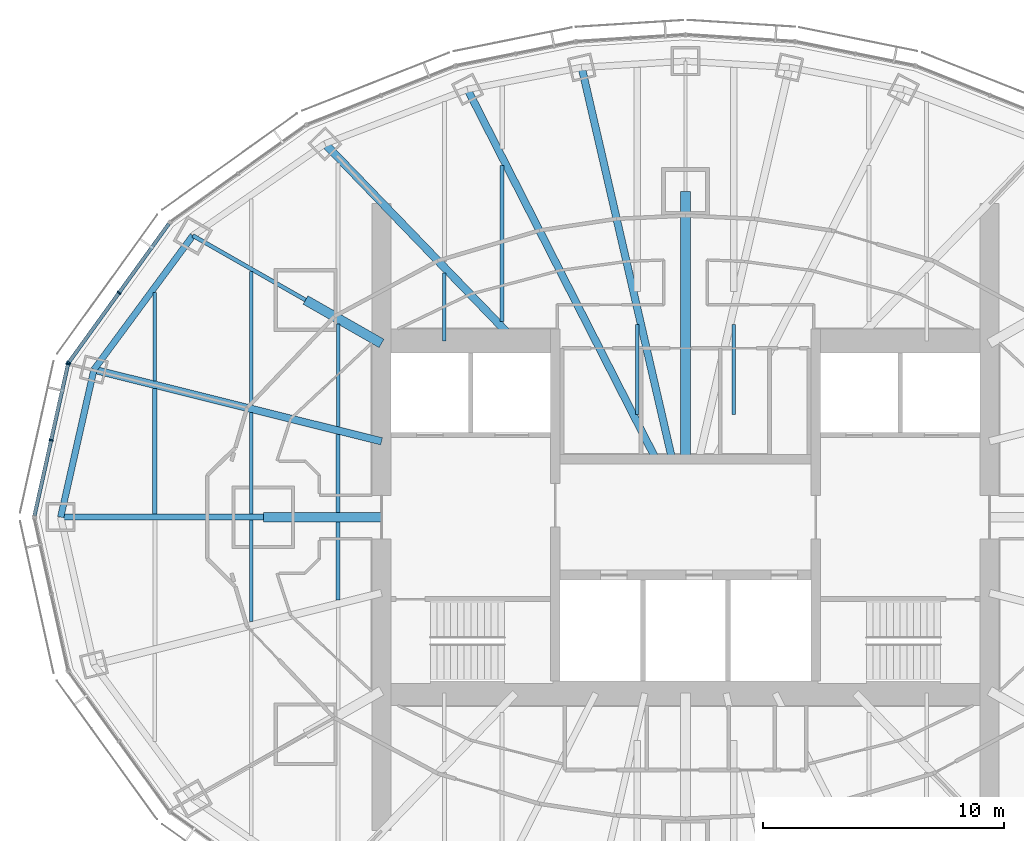
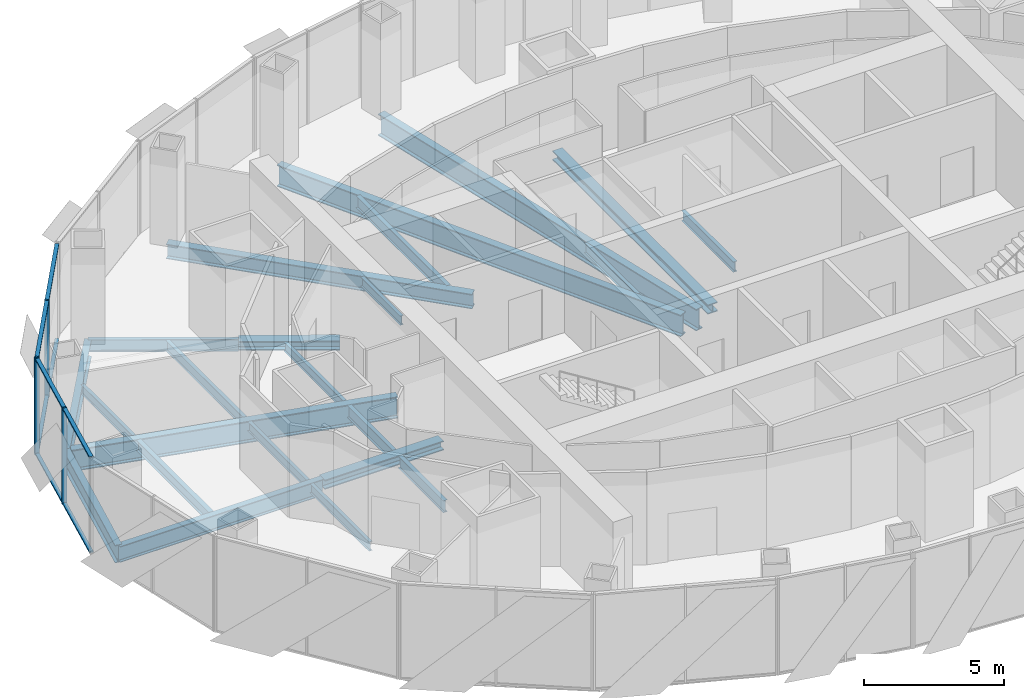
# One storey, part 4 of 17: 23 beams, 12 members, 2 elements without a shape of their own.
"""IFC4 building model written with IfcOpenShell, lengths in metres."""

from ifc_helpers import new_model, si_unit, direction, frame, origin, origin_2d, place, context, subcontext, project, spatial, rectangle, i_section, extrude, material, material_profile, profile_set, type_object, element, aggregate, save


model = new_model("IFC4")

# Units and contexts
model_context = context("Model", 3, precision=1e-05, world=origin(), true_north=direction((0.0, 1.0)))
body_context = subcontext(model_context, "Body", "Model", "MODEL_VIEW")
ifc_project = project(units=[si_unit("LENGTHUNIT", "METRE"), si_unit("AREAUNIT", "SQUARE_METRE"), si_unit("VOLUMEUNIT", "CUBIC_METRE"), si_unit("PLANEANGLEUNIT", "RADIAN"), si_unit("MASSUNIT", "GRAM", prefix="KILO")], contexts=[model_context])

# Site, building, storey
site_placement = place(None, origin())
site = spatial("IfcSite", under=ifc_project, at=site_placement, CompositionType="ELEMENT")
building_placement = place(site_placement, origin())
building = spatial("IfcBuilding", under=site, at=building_placement, Name="Lantaw Convention Tower", CompositionType="ELEMENT")
storey_placement = place(building_placement, frame((0.0, 0.0, 207.39990234375)))
storey = spatial("IfcBuildingStorey", under=building, at=storey_placement, Name="L48", CompositionType="ELEMENT", Elevation=207.39990234375)

# Beams
ifc_material_1 = material(Name="Steel ASTM A992", Category="steel")
ifc_material_profile_1 = material_profile(ifc_material_1, i_section(OverallWidth=0.2666015625, OverallDepth=0.76953125, WebThickness=0.015625, FlangeThickness=0.025390625, FilletRadius=0.0126953125, at=origin_2d()), Name="W30X132")
ifc_profile_set_1 = profile_set([ifc_material_profile_1], Name="Steel ASTM A992")
beam_type_1 = type_object("IfcBeamType", Name="Beam E W30X132", PredefinedType="SPANDREL", material=ifc_profile_set_1)
beam_1_placement = place(storey_placement, frame((-20.423095703125, 11.67041015625, -0.53466796875), z_axis=(-0.593639188853, -0.804731329984, 0.0), x_axis=(0.804731329984, -0.593639188853, 0.0)))
element("IfcBeam", 1, at=beam_1_placement, inside=storey, type_object=beam_type_1, Name="Edge beam 11", PredefinedType="SPANDREL", context=body_context, shape_type="SweptSolid", body=[
    extrude(i_section(OverallWidth=0.2666015625, OverallDepth=0.76953125, WebThickness=0.015625, FlangeThickness=0.025390625, FilletRadius=0.0126953125, at=origin_2d()), origin(), (0.0, 0.0, 1.0), 6.904541015625),
])
beam_2_placement = place(storey_placement, frame((-24.52197265625, 6.114013671875, -0.53466796875), z_axis=(-0.219857926596, -0.97553190215, 0.0), x_axis=(0.97553190215, -0.219857926596, 0.0)))
element("IfcBeam", 2, at=beam_2_placement, inside=storey, type_object=beam_type_1, Name="Edge beam 12", PredefinedType="SPANDREL", context=body_context, shape_type="SweptSolid", body=[
    extrude(i_section(OverallWidth=0.2666015625, OverallDepth=0.76953125, WebThickness=0.015625, FlangeThickness=0.025390625, FilletRadius=0.0126953125, at=origin_2d()), origin(), (0.0, 0.0, 1.0), 6.267333984375),
])
ifc_material_profile_2 = material_profile(ifc_material_1, i_section(OverallWidth=0.1650390625, OverallDepth=0.52587890625, WebThickness=0.0087890625, FlangeThickness=0.011474609375, FilletRadius=0.0126953125, at=origin_2d()), Name="W21X44")
ifc_profile_set_2 = profile_set([ifc_material_profile_2], Name="Steel ASTM A992")
beam_type_2 = type_object("IfcBeamType", Name="Beam G W21X44", PredefinedType="BEAM", material=ifc_profile_set_2)
beam_3_placement = place(storey_placement, frame((-15.75, 9.0, -0.412841796875), z_axis=(-0.868237559289, 0.496148708192, 0.0), x_axis=(-0.496148708192, -0.868237559289, 0.0)))
element("IfcBeam", 3, at=beam_3_placement, inside=storey, type_object=beam_type_2, Name="Floor girder on ray 11", PredefinedType="BEAM", context=body_context, shape_type="SweptSolid", body=[
    extrude(i_section(OverallWidth=0.1650390625, OverallDepth=0.52587890625, WebThickness=0.0087890625, FlangeThickness=0.011474609375, FilletRadius=0.0126953125, at=origin_2d()), origin(), (0.0, 0.0, 1.0), 5.38232421875),
])
ifc_material_profile_3 = material_profile(ifc_material_1, i_section(OverallWidth=0.32763671875, OverallDepth=0.64013671875, WebThickness=0.01904296875, FlangeThickness=0.033935546875, FilletRadius=0.0126953125, at=origin_2d()), Name="W24X176")
ifc_profile_set_3 = profile_set([ifc_material_profile_3], Name="Steel ASTM A992")
beam_type_3 = type_object("IfcBeamType", Name="Beam G W24X176", PredefinedType="BEAM", material=ifc_profile_set_3)
beam_4_placement = place(storey_placement, frame((-7.049560546875, 7.300048828125, -0.469970703125), z_axis=(-0.694657766726, 0.719340383356, 0.0), x_axis=(-0.719340383356, -0.694657766726, 0.0)))
element("IfcBeam", 4, at=beam_4_placement, inside=storey, type_object=beam_type_3, Name="Floor girder on ray 10", PredefinedType="BEAM", context=body_context, shape_type="SweptSolid", body=[
    extrude(i_section(OverallWidth=0.32763671875, OverallDepth=0.64013671875, WebThickness=0.01904296875, FlangeThickness=0.033935546875, FilletRadius=0.0126953125, at=origin_2d()), origin(), (0.0, 0.0, 1.0), 11.364990234375),
])
ifc_material_profile_4 = material_profile(ifc_material_1, i_section(OverallWidth=0.25390625, OverallDepth=0.700927734375, WebThickness=0.015380859375, FlangeThickness=0.02783203125, FilletRadius=0.01513671875, at=origin_2d()), Name="W27X129")
ifc_profile_set_4 = profile_set([ifc_material_profile_4], Name="Steel ASTM A992")
beam_type_4 = type_object("IfcBeamType", Name="Beam G W27X129", PredefinedType="BEAM", material=ifc_profile_set_4)
beam_5_placement = place(storey_placement, frame((-17.5, 0.0, -0.50048828125), z_axis=(-1.0, 0.0, 0.0), x_axis=(0.0, -1.0, 0.0)))
element("IfcBeam", 5, at=beam_5_placement, inside=storey, type_object=beam_type_4, Name="Floor girder on ray 13", PredefinedType="BEAM", context=body_context, shape_type="SweptSolid", body=[
    extrude(i_section(OverallWidth=0.25390625, OverallDepth=0.700927734375, WebThickness=0.015380859375, FlangeThickness=0.02783203125, FilletRadius=0.01513671875, at=origin_2d()), origin(), (0.0, 0.0, 1.0), 8.39990234375),
])
ifc_material_profile_5 = material_profile(ifc_material_1, i_section(OverallWidth=0.307373046875, OverallDepth=0.9423828125, WebThickness=0.022216796875, FlangeThickness=0.039794921875, FilletRadius=0.0126953125, at=origin_2d()), Name="W36X232")
ifc_profile_set_5 = profile_set([ifc_material_profile_5], Name="Steel ASTM A992")
beam_type_5 = type_object("IfcBeamType", Name="Beam G W36X232", PredefinedType="BEAM", material=ifc_profile_set_5)
beam_6_placement = place(storey_placement, frame((-0.55419921875, 2.39990234375, -0.62109375), z_axis=(-0.224948287002, 0.974370703672, 0.0), x_axis=(-0.974370703672, -0.224948287002, 0.0)))
element("IfcBeam", 6, at=beam_6_placement, inside=storey, type_object=beam_type_5, Name="Floor girder on ray 8", PredefinedType="BEAM", context=body_context, shape_type="SweptSolid", body=[
    extrude(i_section(OverallWidth=0.307373046875, OverallDepth=0.9423828125, WebThickness=0.022216796875, FlangeThickness=0.039794921875, FilletRadius=0.0126953125, at=origin_2d()), origin(), (0.0, 0.0, 1.0), 16.66943359375),
])
beam_7_placement = place(storey_placement, frame((-1.222900390625, 2.39990234375, -0.62109375), z_axis=(-0.453988481463, 0.891007552549, 0.0), x_axis=(-0.891007552549, -0.453988481463, 0.0)))
element("IfcBeam", 7, at=beam_7_placement, inside=storey, type_object=beam_type_5, Name="Floor girder on ray 9", PredefinedType="BEAM", context=body_context, shape_type="SweptSolid", body=[
    extrude(i_section(OverallWidth=0.307373046875, OverallDepth=0.9423828125, WebThickness=0.022216796875, FlangeThickness=0.039794921875, FilletRadius=0.0126953125, at=origin_2d()), origin(), (0.0, 0.0, 1.0), 17.20703125),
])
beam_8_placement = place(storey_placement, frame((-12.60009765625, 3.1416015625, -0.62109375), z_axis=(-0.970296589314, 0.241918434119, 0.0), x_axis=(-0.241918434119, -0.970296589314, 0.0)))
element("IfcBeam", 8, at=beam_8_placement, inside=storey, type_object=beam_type_5, Name="Floor girder on ray 12", PredefinedType="BEAM", context=body_context, shape_type="SweptSolid", body=[
    extrude(i_section(OverallWidth=0.307373046875, OverallDepth=0.9423828125, WebThickness=0.022216796875, FlangeThickness=0.039794921875, FilletRadius=0.0126953125, at=origin_2d()), origin(), (0.0, 0.0, 1.0), 12.286865234375),
])
ifc_material_profile_6 = material_profile(ifc_material_1, i_section(OverallWidth=0.40380859375, OverallDepth=0.406494140625, WebThickness=0.027099609375, FlangeThickness=0.043701171875, FilletRadius=0.01513671875, at=origin_2d()), Name="W14X233")
ifc_profile_set_6 = profile_set([ifc_material_profile_6], Name="Steel ASTM A992")
beam_type_6 = type_object("IfcBeamType", Name="Beam GM W14X233", PredefinedType="BEAM", material=ifc_profile_set_6)
beam_9_placement = place(storey_placement, frame((0.0, 2.39990234375, -0.35302734375), z_axis=(0.0, 1.0, 0.0), x_axis=(-1.0, 0.0, 0.0)))
element("IfcBeam", 9, at=beam_9_placement, inside=storey, type_object=beam_type_6, Name="Core link beam on ray 7", PredefinedType="BEAM", context=body_context, shape_type="SweptSolid", body=[
    extrude(i_section(OverallWidth=0.40380859375, OverallDepth=0.406494140625, WebThickness=0.027099609375, FlangeThickness=0.043701171875, FilletRadius=0.01513671875, at=origin_2d()), origin(), (0.0, 0.0, 1.0), 11.10009765625),
])
beam_10_placement = place(storey_placement, frame((-12.60009765625, 7.199951171875, -0.35302734375), z_axis=(-0.868230718294, 0.496160679428, 0.0), x_axis=(-0.496160679428, -0.868230718294, 0.0)))
element("IfcBeam", 10, at=beam_10_placement, inside=storey, type_object=beam_type_6, Name="Core link beam on ray 11", PredefinedType="BEAM", context=body_context, shape_type="SweptSolid", body=[
    extrude(i_section(OverallWidth=0.40380859375, OverallDepth=0.406494140625, WebThickness=0.027099609375, FlangeThickness=0.043701171875, FilletRadius=0.01513671875, at=origin_2d()), origin(), (0.0, 0.0, 1.0), 3.6279296875),
])
beam_11_placement = place(storey_placement, frame((-12.60009765625, 0.0, -0.35302734375), z_axis=(-1.0, 0.0, 0.0), x_axis=(0.0, -1.0, 0.0)))
element("IfcBeam", 11, at=beam_11_placement, inside=storey, type_object=beam_type_6, Name="Core link beam on ray 13", PredefinedType="BEAM", context=body_context, shape_type="SweptSolid", body=[
    extrude(i_section(OverallWidth=0.40380859375, OverallDepth=0.406494140625, WebThickness=0.027099609375, FlangeThickness=0.043701171875, FilletRadius=0.01513671875, at=origin_2d()), origin(), (0.0, 0.0, 1.0), 4.89990234375),
])
ifc_material_profile_7 = material_profile(ifc_material_1, i_section(OverallWidth=0.140380859375, OverallDepth=0.40380859375, WebThickness=0.007080078125, FlangeThickness=0.01123046875, FilletRadius=0.01025390625, at=origin_2d()), Name="W16X31")
ifc_profile_set_7 = profile_set([ifc_material_profile_7], Name="Steel ASTM A992")
beam_type_7 = type_object("IfcBeamType", Name="Beam J W16X31", PredefinedType="JOIST", material=ifc_profile_set_7)
beam_12_placement = place(storey_placement, frame((-22.0, 5.6435546875, -0.351806640625), z_axis=(0.0, 1.0, 0.0), x_axis=(-1.0, 0.0, 0.0)))
element("IfcBeam", 12, at=beam_12_placement, inside=storey, type_object=beam_type_7, Name="Floor joist", PredefinedType="JOIST", context=body_context, shape_type="SweptSolid", body=[
    extrude(i_section(OverallWidth=0.140380859375, OverallDepth=0.40380859375, WebThickness=0.007080078125, FlangeThickness=0.01123046875, FilletRadius=0.01025390625, at=origin_2d()), origin(), (0.0, 0.0, 1.0), 3.66455078125),
])
for number, where, z_axis, x_axis, name in (
    (13, (-18.0, -4.32958984375, -0.351806640625), (0.0, 1.0, 0.0), (-1.0, 0.0, 0.0), "Floor joist"),
    (14, (-18.0, 0.126953125, -0.351806640625), (0.0, 1.0, 0.0), (-1.0, 0.0, 0.0), "Floor joist"),
):
    element("IfcBeam", number, at=place(storey_placement, frame(where, z_axis=z_axis, x_axis=x_axis)), inside=storey, type_object=beam_type_7, Name=name, PredefinedType="JOIST", context=body_context, shape_type="SweptSolid", body=[
        extrude(i_section(OverallWidth=0.140380859375, OverallDepth=0.40380859375, WebThickness=0.007080078125, FlangeThickness=0.01123046875, FilletRadius=0.01025390625, at=origin_2d()), origin(), (0.0, 0.0, 1.0), 4.20263671875),
    ])
beam_13_placement = place(storey_placement, frame((-14.39990234375, 3.748779296875, -0.351806640625), z_axis=(0.0, 1.0, 0.0), x_axis=(-1.0, 0.0, 0.0)))
element("IfcBeam", 15, at=beam_13_placement, inside=storey, type_object=beam_type_7, Name="Floor joist", PredefinedType="JOIST", context=body_context, shape_type="SweptSolid", body=[
    extrude(i_section(OverallWidth=0.140380859375, OverallDepth=0.40380859375, WebThickness=0.007080078125, FlangeThickness=0.01123046875, FilletRadius=0.01025390625, at=origin_2d()), origin(), (0.0, 0.0, 1.0), 4.247314453125),
])
beam_14_placement = place(storey_placement, frame((-10.0, 7.300048828125, -0.351806640625), z_axis=(0.0, 1.0, 0.0), x_axis=(-1.0, 0.0, 0.0)))
element("IfcBeam", 16, at=beam_14_placement, inside=storey, type_object=beam_type_7, Name="Floor joist", PredefinedType="JOIST", context=body_context, shape_type="SweptSolid", body=[
    extrude(i_section(OverallWidth=0.140380859375, OverallDepth=0.40380859375, WebThickness=0.007080078125, FlangeThickness=0.01123046875, FilletRadius=0.01025390625, at=origin_2d()), origin(), (0.0, 0.0, 1.0), 2.8193359375),
])
ifc_material_profile_8 = material_profile(ifc_material_1, i_section(OverallWidth=0.15234375, OverallDepth=0.449462890625, WebThickness=0.007568359375, FlangeThickness=0.0107421875, FilletRadius=0.01025390625, at=origin_2d()), Name="W18X35")
ifc_profile_set_8 = profile_set([ifc_material_profile_8], Name="Steel ASTM A992")
beam_type_8 = type_object("IfcBeamType", Name="Beam J W18X35", PredefinedType="JOIST", material=ifc_profile_set_8)
beam_15_placement = place(storey_placement, frame((-18.0, 4.646240234375, -0.374755859375), z_axis=(0.0, 1.0, 0.0), x_axis=(-1.0, 0.0, 0.0)))
element("IfcBeam", 17, at=beam_15_placement, inside=storey, type_object=beam_type_8, Name="Floor joist", PredefinedType="JOIST", context=body_context, shape_type="SweptSolid", body=[
    extrude(i_section(OverallWidth=0.15234375, OverallDepth=0.449462890625, WebThickness=0.007568359375, FlangeThickness=0.0107421875, FilletRadius=0.01025390625, at=origin_2d()), origin(), (0.0, 0.0, 1.0), 5.54443359375),
])
for number, where, z_axis, x_axis, name in (
    (18, (-2.0, 4.263671875, -0.374755859375), (0.0, 1.0, 0.0), (-1.0, 0.0, 0.0), "Floor joist"),
    (19, (2.0, 4.263671875, -0.374755859375), (0.0, 1.0, 0.0), (-1.0, 0.0, 0.0), "Floor joist"),
):
    element("IfcBeam", number, at=place(storey_placement, frame(where, z_axis=z_axis, x_axis=x_axis)), inside=storey, type_object=beam_type_8, Name=name, PredefinedType="JOIST", context=body_context, shape_type="SweptSolid", body=[
        extrude(i_section(OverallWidth=0.15234375, OverallDepth=0.449462890625, WebThickness=0.007568359375, FlangeThickness=0.0107421875, FilletRadius=0.01025390625, at=origin_2d()), origin(), (0.0, 0.0, 1.0), 3.716064453125),
    ])
ifc_material_profile_9 = material_profile(ifc_material_1, i_section(OverallWidth=0.1904296875, OverallDepth=0.457275390625, WebThickness=0.009033203125, FlangeThickness=0.014404296875, FilletRadius=0.01025390625, at=origin_2d()), Name="W18X50")
ifc_profile_set_9 = profile_set([ifc_material_profile_9], Name="Steel ASTM A992")
beam_type_9 = type_object("IfcBeamType", Name="Beam J W18X50", PredefinedType="JOIST", material=ifc_profile_set_9)
beam_16_placement = place(storey_placement, frame((-22.0, 0.126953125, -0.37841796875), z_axis=(0.0, 1.0, 0.0), x_axis=(-1.0, 0.0, 0.0)))
element("IfcBeam", 20, at=beam_16_placement, inside=storey, type_object=beam_type_9, Name="Floor joist", PredefinedType="JOIST", context=body_context, shape_type="SweptSolid", body=[
    extrude(i_section(OverallWidth=0.1904296875, OverallDepth=0.457275390625, WebThickness=0.009033203125, FlangeThickness=0.014404296875, FilletRadius=0.01025390625, at=origin_2d()), origin(), (0.0, 0.0, 1.0), 5.199951171875),
])
ifc_material_profile_10 = material_profile(ifc_material_1, i_section(OverallWidth=0.1650390625, OverallDepth=0.52587890625, WebThickness=0.0087890625, FlangeThickness=0.011474609375, FilletRadius=0.0126953125, at=origin_2d()), Name="W21X44")
ifc_profile_set_10 = profile_set([ifc_material_profile_10], Name="Steel ASTM A992")
beam_type_10 = type_object("IfcBeamType", Name="Beam J W21X44", PredefinedType="JOIST", material=ifc_profile_set_10)
for number, where, z_axis, x_axis, name in (
    (21, (-14.39990234375, -3.431884765625, -0.412841796875), (0.0, 1.0, 0.0), (-1.0, 0.0, 0.0), "Floor joist"),
    (22, (-14.39990234375, 0.201904296875, -0.412841796875), (0.0, 1.0, 0.0), (-1.0, 0.0, 0.0), "Floor joist"),
):
    element("IfcBeam", number, at=place(storey_placement, frame(where, z_axis=z_axis, x_axis=x_axis)), inside=storey, type_object=beam_type_10, Name=name, PredefinedType="JOIST", context=body_context, shape_type="SweptSolid", body=[
        extrude(i_section(OverallWidth=0.1650390625, OverallDepth=0.52587890625, WebThickness=0.0087890625, FlangeThickness=0.011474609375, FilletRadius=0.0126953125, at=origin_2d()), origin(), (0.0, 0.0, 1.0), 3.22998046875),
    ])
beam_17_placement = place(storey_placement, frame((-7.60009765625, 8.10595703125, -0.412841796875), z_axis=(0.0, 1.0, 0.0), x_axis=(-1.0, 0.0, 0.0)))
element("IfcBeam", 23, at=beam_17_placement, inside=storey, type_object=beam_type_10, Name="Floor joist", PredefinedType="JOIST", context=body_context, shape_type="SweptSolid", body=[
    extrude(i_section(OverallWidth=0.1650390625, OverallDepth=0.52587890625, WebThickness=0.0087890625, FlangeThickness=0.011474609375, FilletRadius=0.0126953125, at=origin_2d()), origin(), (0.0, 0.0, 1.0), 6.471435546875),
])

# Curtain wall, members
ifc_material_2 = material(Name="Aluminium framed curtain wall", Category="aluminium")
curtain_wall_type = type_object("IfcCurtainWallType", Name="Office curtain wall high rise, pale aluminium", PredefinedType="USERDEFINED", material=ifc_material_2)
curtain_wall_1_placement = place(storey_placement, origin())
curtain_wall_1 = element("IfcCurtainWall", 24, at=curtain_wall_1_placement, inside=storey, type_object=curtain_wall_type, Name="Office curtain wall high rise, pale aluminium L48", ObjectType="UNITISED CURTAIN WALL", PredefinedType="USERDEFINED")
ifc_material_3 = material(Name="Aluminium 6063-T6", Category="aluminium")
ifc_material_profile_11 = material_profile(ifc_material_3, rectangle(XDim=0.179931640625, YDim=0.06494140625, at=origin_2d()), Name="CW-O2 mullion 65x180")
ifc_profile_set_11 = profile_set([ifc_material_profile_11], Name="Aluminium 6063-T6")
member_type_1 = type_object("IfcMemberType", Name="CW-O2 mullion 65x180", PredefinedType="MULLION", material=ifc_profile_set_11)
member_1_placement = place(storey_placement, frame((-23.483642578125, 9.298095703125, -0.14990234375), z_axis=(0.0, 0.0, 1.0), x_axis=(0.810919559405, -0.585157643865, 0.0)))
member_1 = element("IfcMember", 25, at=member_1_placement, type_object=member_type_1, Name="CW-O2 mullion 2", PredefinedType="MULLION", context=body_context, shape_type="SweptSolid", body=[
    extrude(rectangle(XDim=0.179931640625, YDim=0.06494140625, at=origin_2d()), origin(), (0.0, 0.0, 1.0), 4.199951171875),
])
member_2_placement = place(storey_placement, frame((-25.5703125, 6.406494140625, -0.14990234375), z_axis=(0.0, 0.0, 1.0), x_axis=(0.810919559405, -0.585157643865, 0.0)))
member_2 = element("IfcMember", 26, at=member_2_placement, type_object=member_type_1, Name="CW-O2 mullion 3", PredefinedType="MULLION", context=body_context, shape_type="SweptSolid", body=[
    extrude(rectangle(XDim=0.179931640625, YDim=0.06494140625, at=origin_2d()), origin(), (0.0, 0.0, 1.0), 4.199951171875),
])

curtain_wall_2_placement = place(storey_placement, origin())
curtain_wall_2 = element("IfcCurtainWall", 27, at=curtain_wall_2_placement, inside=storey, type_object=curtain_wall_type, Name="Office curtain wall high rise, pale aluminium L48", ObjectType="UNITISED CURTAIN WALL", PredefinedType="USERDEFINED")
member_3_placement = place(storey_placement, frame((-25.596435546875, 6.348388671875, -0.14990234375), z_axis=(0.0, 0.0, 1.0), x_axis=(0.976417396437, -0.215891333626, 0.0)))
member_3 = element("IfcMember", 28, at=member_3_placement, type_object=member_type_1, Name="CW-O2 mullion 1", PredefinedType="MULLION", context=body_context, shape_type="SweptSolid", body=[
    extrude(rectangle(XDim=0.179931640625, YDim=0.06494140625, at=origin_2d()), origin(), (0.0, 0.0, 1.0), 4.199951171875),
])
member_4_placement = place(storey_placement, frame((-26.294677734375, 3.190185546875, -0.14990234375), z_axis=(0.0, 0.0, 1.0), x_axis=(0.976417396437, -0.215891333626, 0.0)))
member_4 = element("IfcMember", 29, at=member_4_placement, type_object=member_type_1, Name="CW-O2 mullion 2", PredefinedType="MULLION", context=body_context, shape_type="SweptSolid", body=[
    extrude(rectangle(XDim=0.179931640625, YDim=0.06494140625, at=origin_2d()), origin(), (0.0, 0.0, 1.0), 4.199951171875),
])

# Member
ifc_material_profile_12 = material_profile(ifc_material_3, rectangle(XDim=0.14990234375, YDim=0.06494140625, at=origin_2d()), Name="CW-O2 transom 65x150")
ifc_profile_set_12 = profile_set([ifc_material_profile_12], Name="Aluminium 6063-T6")
member_type_2 = type_object("IfcMemberType", Name="CW-O2 transom 65x150", PredefinedType="USERDEFINED", material=ifc_profile_set_12)
member_5_placement = place(storey_placement, frame((-21.416259765625, 12.163330078125, -0.117431640625), z_axis=(-0.585123825205, -0.810943961798, 0.0), x_axis=(0.810943961798, -0.585123825205, 0.0)))
member_5 = element("IfcMember", 30, at=member_5_placement, type_object=member_type_2, Name="CW-O2 transom 1.1", ObjectType="TRANSOM", PredefinedType="USERDEFINED", context=body_context, shape_type="SweptSolid", body=[
    extrude(rectangle(XDim=0.14990234375, YDim=0.06494140625, at=origin_2d()), origin(), (0.0, 0.0, 1.0), 3.500732421875),
])

member_6_placement = place(storey_placement, frame((-21.416259765625, 12.163330078125, 4.017578125), z_axis=(-0.585123825205, -0.810943961798, 0.0), x_axis=(0.810943961798, -0.585123825205, 0.0)))
member_6 = element("IfcMember", 31, at=member_6_placement, type_object=member_type_2, Name="CW-O2 transom 1.2", ObjectType="TRANSOM", PredefinedType="USERDEFINED", context=body_context, shape_type="SweptSolid", body=[
    extrude(rectangle(XDim=0.14990234375, YDim=0.06494140625, at=origin_2d()), origin(), (0.0, 0.0, 1.0), 3.500732421875),
])

member_7_placement = place(storey_placement, frame((-23.502685546875, 9.271728515625, -0.117431640625), z_axis=(-0.585169685931, -0.810910869743, 0.0), x_axis=(0.810910869743, -0.585169685931, 0.0)))
member_7 = element("IfcMember", 32, at=member_7_placement, type_object=member_type_2, Name="CW-O2 transom 2.1", ObjectType="TRANSOM", PredefinedType="USERDEFINED", context=body_context, shape_type="SweptSolid", body=[
    extrude(rectangle(XDim=0.14990234375, YDim=0.06494140625, at=origin_2d()), origin(), (0.0, 0.0, 1.0), 3.500732421875),
])

member_8_placement = place(storey_placement, frame((-23.502685546875, 9.271728515625, 4.017578125), z_axis=(-0.585169685931, -0.810910869743, 0.0), x_axis=(0.810910869743, -0.585169685931, 0.0)))
member_8 = element("IfcMember", 33, at=member_8_placement, type_object=member_type_2, Name="CW-O2 transom 2.2", ObjectType="TRANSOM", PredefinedType="USERDEFINED", context=body_context, shape_type="SweptSolid", body=[
    extrude(rectangle(XDim=0.14990234375, YDim=0.06494140625, at=origin_2d()), origin(), (0.0, 0.0, 1.0), 3.500732421875),
])

aggregate(curtain_wall_1, [member_1, member_2, member_5, member_6, member_7, member_8])

member_9_placement = place(storey_placement, frame((-25.603271484375, 6.316650390625, -0.117431640625), z_axis=(-0.215894607042, -0.976416672661, 0.0), x_axis=(0.976416672661, -0.215894607042, 0.0)))
member_9 = element("IfcMember", 34, at=member_9_placement, type_object=member_type_2, Name="CW-O2 transom 1.1", ObjectType="TRANSOM", PredefinedType="USERDEFINED", context=body_context, shape_type="SweptSolid", body=[
    extrude(rectangle(XDim=0.14990234375, YDim=0.06494140625, at=origin_2d()), origin(), (0.0, 0.0, 1.0), 3.169677734375),
])

member_10_placement = place(storey_placement, frame((-25.603271484375, 6.316650390625, 4.017578125), z_axis=(-0.215894607042, -0.976416672661, 0.0), x_axis=(0.976416672661, -0.215894607042, 0.0)))
member_10 = element("IfcMember", 35, at=member_10_placement, type_object=member_type_2, Name="CW-O2 transom 1.2", ObjectType="TRANSOM", PredefinedType="USERDEFINED", context=body_context, shape_type="SweptSolid", body=[
    extrude(rectangle(XDim=0.14990234375, YDim=0.06494140625, at=origin_2d()), origin(), (0.0, 0.0, 1.0), 3.169677734375),
])

member_11_placement = place(storey_placement, frame((-26.3017578125, 3.158447265625, -0.117431640625), z_axis=(-0.215894607042, -0.976416672661, 0.0), x_axis=(0.976416672661, -0.215894607042, 0.0)))
member_11 = element("IfcMember", 36, at=member_11_placement, type_object=member_type_2, Name="CW-O2 transom 2.1", ObjectType="TRANSOM", PredefinedType="USERDEFINED", context=body_context, shape_type="SweptSolid", body=[
    extrude(rectangle(XDim=0.14990234375, YDim=0.06494140625, at=origin_2d()), origin(), (0.0, 0.0, 1.0), 3.169677734375),
])

member_12_placement = place(storey_placement, frame((-26.3017578125, 3.158447265625, 4.017578125), z_axis=(-0.215894607042, -0.976416672661, 0.0), x_axis=(0.976416672661, -0.215894607042, 0.0)))
member_12 = element("IfcMember", 37, at=member_12_placement, type_object=member_type_2, Name="CW-O2 transom 2.2", ObjectType="TRANSOM", PredefinedType="USERDEFINED", context=body_context, shape_type="SweptSolid", body=[
    extrude(rectangle(XDim=0.14990234375, YDim=0.06494140625, at=origin_2d()), origin(), (0.0, 0.0, 1.0), 3.169677734375),
])

aggregate(curtain_wall_2, [member_3, member_4, member_9, member_10, member_11, member_12])

save(model, "model.ifc")
